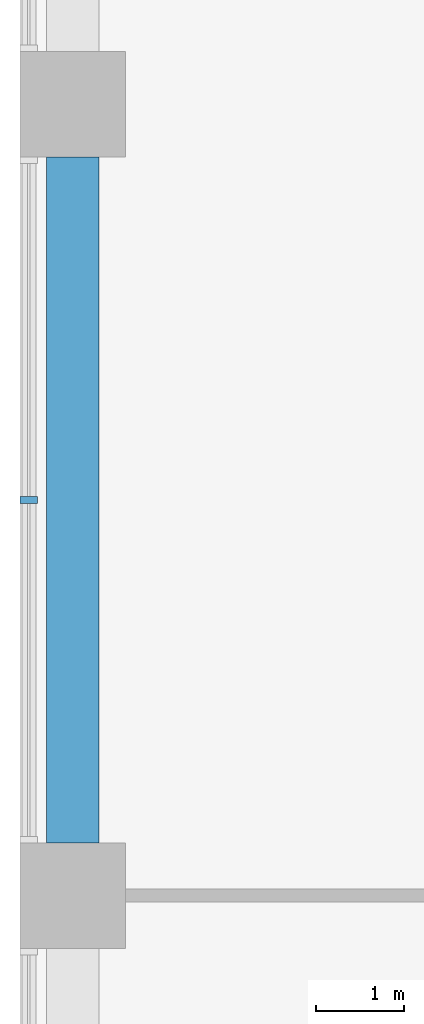
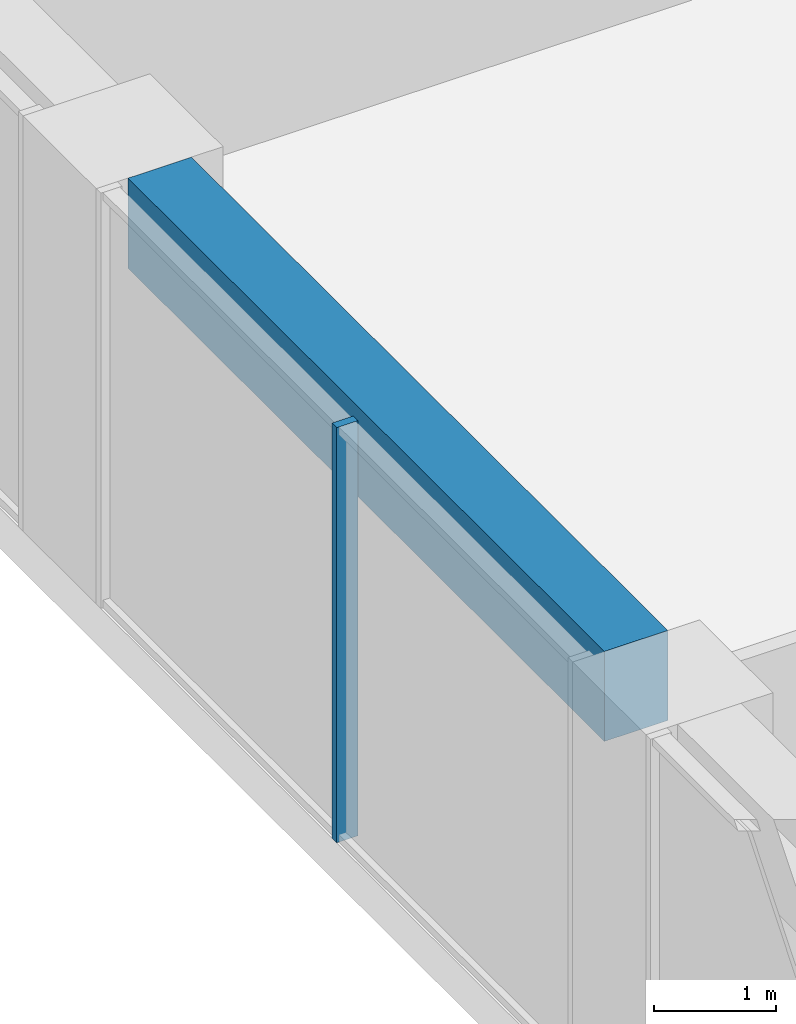
# One storey, part 3 of 18: 1 beam, 1 member, 1 element without a shape of its own.
"""IFC4 building model written with IfcOpenShell, lengths in metres."""

from ifc_helpers import new_model, si_unit, direction, frame, origin, origin_2d, place, context, subcontext, project, spatial, rectangle, extrude, material, material_profile, profile_set, type_object, element, aggregate, save


model = new_model("IFC4")

# Units and contexts
model_context = context("Model", 3, precision=1e-05, world=origin(), true_north=direction((0.0, 1.0)))
body_context = subcontext(model_context, "Body", "Model", "MODEL_VIEW")
ifc_project = project(units=[si_unit("LENGTHUNIT", "METRE"), si_unit("AREAUNIT", "SQUARE_METRE"), si_unit("VOLUMEUNIT", "CUBIC_METRE"), si_unit("PLANEANGLEUNIT", "RADIAN"), si_unit("MASSUNIT", "GRAM", prefix="KILO")], contexts=[model_context])

# Site, building, storey
site_placement = place(None, origin())
site = spatial("IfcSite", under=ifc_project, at=site_placement, CompositionType="ELEMENT")
building_placement = place(site_placement, origin())
building = spatial("IfcBuilding", under=site, at=building_placement, Name="Orbiselva Terraces", CompositionType="ELEMENT")
storey_placement = place(building_placement, frame((0.0, 0.0, 6.0)))
storey = spatial("IfcBuildingStorey", under=building, at=storey_placement, Name="L01", CompositionType="ELEMENT", Elevation=6.0)

# Curtain wall, member
ifc_material_1 = material(Name="Clear low-e glazing in aluminium frame", Category="aluminium")
curtain_wall_type = type_object("IfcCurtainWallType", Name="ENV-CW-LOBBY", PredefinedType="NOTDEFINED", material=ifc_material_1)
curtain_wall_placement = place(storey_placement, origin())
curtain_wall = element("IfcCurtainWall", 1, at=curtain_wall_placement, inside=storey, type_object=curtain_wall_type, Name="Curtain wall L01 W", PredefinedType="NOTDEFINED")
ifc_material_2 = material(Name="Anodised aluminium", Category="aluminium")
ifc_material_profile_1 = material_profile(ifc_material_2, rectangle(XDim=0.2, YDim=0.075, at=origin_2d()), Name="AL 75x200")
ifc_profile_set_1 = profile_set([ifc_material_profile_1], Name="Anodised aluminium")
member_type = type_object("IfcMemberType", Name="ENV-CW-LOBBY-MULLION-75x200", PredefinedType="MULLION", material=ifc_profile_set_1)
member_placement = place(storey_placement, frame((-35.9, -9.0, 0.0), z_axis=(0.0, 0.0, 1.0), x_axis=(1.0, 0.0, 0.0)))
member = element("IfcMember", 2, at=member_placement, type_object=member_type, Name="CW1 mullion 2", PredefinedType="MULLION", context=body_context, shape_type="SweptSolid", body=[
    extrude(rectangle(XDim=0.2, YDim=0.075, at=origin_2d()), origin(), (0.0, 0.0, 1.0), 4.15),
])
aggregate(curtain_wall, [member])

# Beam
ifc_material_3 = material(Name="Concrete C60/75", Category="concrete")
ifc_material_profile_2 = material_profile(ifc_material_3, rectangle(XDim=0.6, YDim=0.9, at=origin_2d()), Name="RC 600x900")
ifc_profile_set_2 = profile_set([ifc_material_profile_2], Name="Concrete C60/75")
beam_type = type_object("IfcBeamType", Name="PODIUM GIRDER RC 600x900", PredefinedType="BEAM", material=ifc_profile_set_2)
beam_placement = place(storey_placement, frame((-35.4, -5.1, 3.7), z_axis=(0.0, -1.0, 0.0), x_axis=(1.0, 0.0, 0.0)))
element("IfcBeam", 3, at=beam_placement, inside=storey, type_object=beam_type, Name="Podium girder 01", PredefinedType="BEAM", context=body_context, shape_type="SweptSolid", body=[
    extrude(rectangle(XDim=0.6, YDim=0.9, at=origin_2d()), origin(), (0.0, 0.0, 1.0), 7.8),
])

save(model, "model.ifc")
